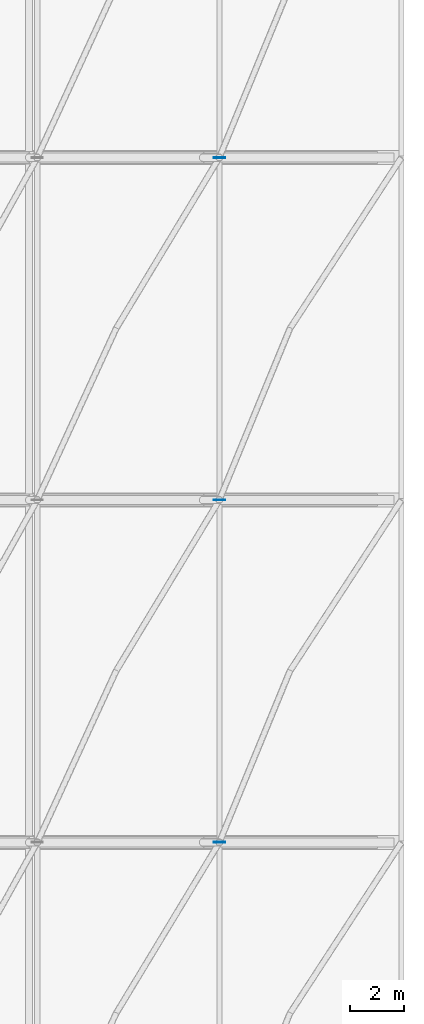
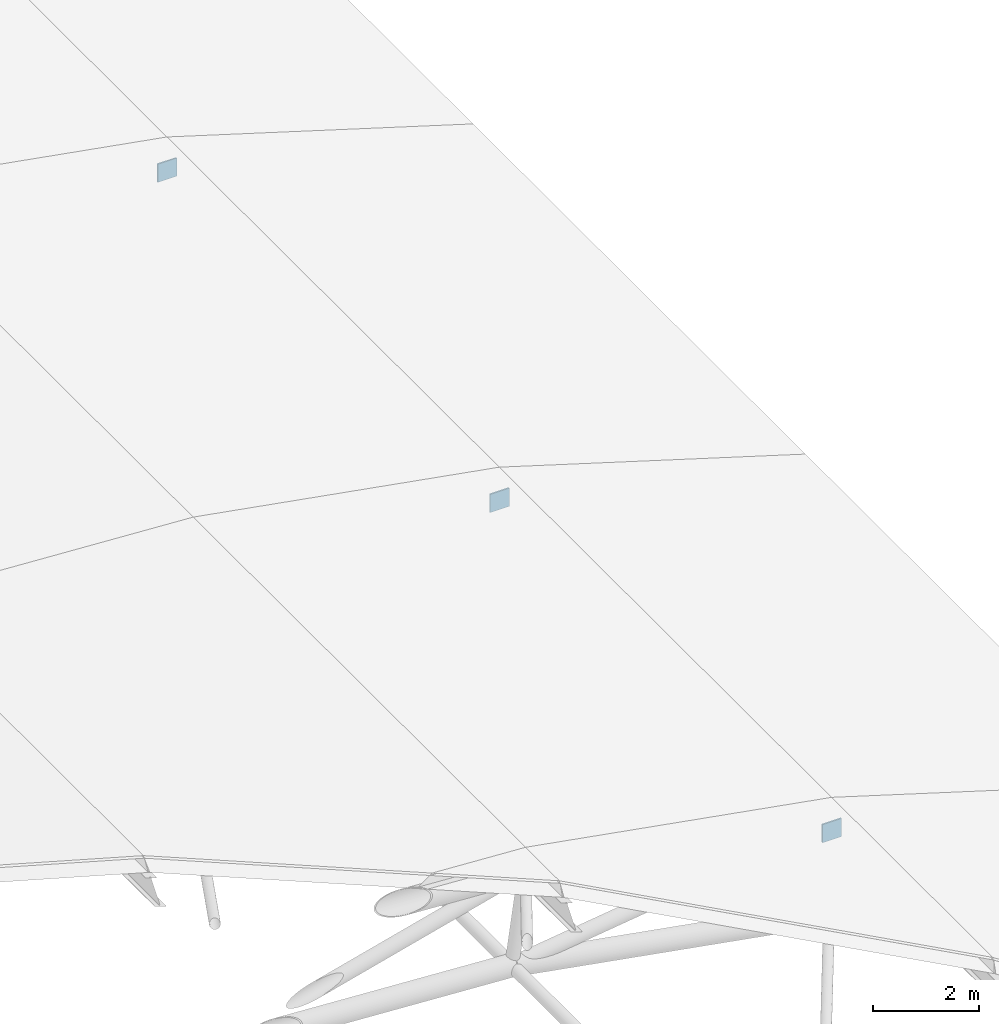
# One storey, part 16 of 18: 3 plates.
"""IFC4 building model written with IfcOpenShell, lengths in metres."""

import ifcopenshell
import ifcopenshell.guid

model = None  # the IFC model being written
_history = None  # IfcOwnerHistory: only IFC2X3 demands one
_inside = {}  # id of a spatial element -> (the spatial element, [elements in it])
_under = {}  # id of a project, library or spatial element -> (it, [spatial elements below it])
_declared = {}  # id of a project -> (the project, [libraries it declares])
_typed = {}  # id of a type object -> (the type object, [elements of that type])
_made_of = {}  # id of a material, layer set ... -> (it, [elements and type objects made of it])


def new_model(schema):
    """Start an empty IFC model of exactly this schema.

    Asked for "IFC4X3", IfcOpenShell would pick the latest addendum, in which some entities
    have other attributes; the version numbers below select the first issue.
    IFC2X3 requires an IfcOwnerHistory on every rooted entity: one is made here for all.
    """
    global model, _history
    if schema == "IFC4X3":
        model = ifcopenshell.file(schema_version=(4, 3, 0, 0))
    else:
        model = ifcopenshell.file(schema=schema)
    _inside.clear()
    _under.clear()
    _declared.clear()
    _typed.clear()
    _made_of.clear()
    _history = None
    if model.schema == "IFC2X3":
        org = make("IfcOrganization", Name="unknown")
        user = make(
            "IfcPersonAndOrganization",
            ThePerson=make("IfcPerson", FamilyName="unknown"),
            TheOrganization=org,
        )
        app = make(
            "IfcApplication",
            ApplicationDeveloper=org,
            Version="unknown",
            ApplicationFullName="unknown",
            ApplicationIdentifier="unknown",
        )
        _history = make(
            "IfcOwnerHistory",
            OwningUser=user,
            OwningApplication=app,
            ChangeAction="ADDED",
            CreationDate=0,
        )
    return model


def make(cls, **values):
    """One entity of the class cls with the attributes given. An attribute that is None is left unset."""
    return model.create_entity(
        cls, **{name: value for name, value in values.items() if value is not None}
    )


def rooted(cls, **values):
    """An entity with a GlobalId (a new one), such as an element, a storey or a relation."""
    return make(cls, GlobalId=ifcopenshell.guid.new(), OwnerHistory=_history, **values)


def si_unit(unit_type, name, prefix=None):
    """IfcSIUnit, for example si_unit("LENGTHUNIT", "METRE", prefix="MILLI")."""
    return make("IfcSIUnit", UnitType=unit_type, Prefix=prefix, Name=name)


def derived_unit(unit_type, elements):
    """IfcDerivedUnit: a product of units, each with its exponent."""
    return make(
        "IfcDerivedUnit",
        Elements=[
            make("IfcDerivedUnitElement", Unit=unit, Exponent=power)
            for unit, power in elements
        ],
        UnitType=unit_type,
    )


def assignment(units):
    """IfcUnitAssignment: the units of a project."""
    return None if units is None else make("IfcUnitAssignment", Units=units)


def point(xyz):
    """IfcCartesianPoint."""
    return None if xyz is None else make("IfcCartesianPoint", Coordinates=xyz)


def direction(xyz):
    """IfcDirection."""
    return None if xyz is None else make("IfcDirection", DirectionRatios=xyz)


def frame(location, z_axis=None, x_axis=None):
    """IfcAxis2Placement3D, a coordinate frame: its origin and axes. An axis left out is left unset."""
    return make(
        "IfcAxis2Placement3D",
        Location=point(location),
        Axis=direction(z_axis),
        RefDirection=direction(x_axis),
    )


def frame_2d(location, x_axis=None):
    """IfcAxis2Placement2D, a coordinate frame in the plane: its origin and x axis."""
    return make(
        "IfcAxis2Placement2D", Location=point(location), RefDirection=direction(x_axis)
    )


def origin():
    """The frame at (0, 0, 0) with its axes left unset."""
    return frame((0.0, 0.0, 0.0))


def origin_2d():
    """The frame at (0, 0) in the plane with its x axis left unset."""
    return frame_2d((0.0, 0.0))


def place(relative_to, where):
    """IfcLocalPlacement: puts the frame where relative to a parent placement (None: the world)."""
    return make(
        "IfcLocalPlacement", PlacementRelTo=relative_to, RelativePlacement=where
    )


def context(
    kind, dimensions, precision=None, world=None, true_north=None, identifier=None
):
    """IfcGeometricRepresentationContext, for example the 3D "Model" context."""
    return make(
        "IfcGeometricRepresentationContext",
        ContextIdentifier=identifier,
        ContextType=kind,
        CoordinateSpaceDimension=dimensions,
        Precision=precision,
        WorldCoordinateSystem=world,
        TrueNorth=true_north,
    )


def subcontext(parent, identifier, kind, view, scale=None):
    """IfcGeometricRepresentationSubContext, for example "Body" below "Model"."""
    return make(
        "IfcGeometricRepresentationSubContext",
        ContextIdentifier=identifier,
        ContextType=kind,
        ParentContext=parent,
        TargetScale=scale,
        TargetView=view,
    )


def project(units=None, contexts=None):
    """IfcProject with its units and contexts."""
    return rooted(
        "IfcProject",
        Name="project",
        RepresentationContexts=contexts,
        UnitsInContext=assignment(units),
    )


def spatial(cls, under=None, at=None, **own):
    """A site, building, storey or space (cls), placed at a placement, below another one or the project."""
    s = rooted(cls, ObjectPlacement=at, **own)
    if under is not None:
        _under.setdefault(under.id(), (under, []))[1].append(s)
    return s


def profile(cls, at=None, kind="AREA", **sizes):
    """A parametric profile (cls). Its sizes go by their IFC names, for example OverallWidth=200.0."""
    return make(cls, ProfileType=kind, Position=at, **sizes)


def rectangle(**sizes):
    """IfcRectangleProfileDef."""
    return profile("IfcRectangleProfileDef", **sizes)


def extrude(swept, where, along, depth):
    """IfcExtrudedAreaSolid: the profile swept, set in the frame where, extruded along a direction by depth."""
    return make(
        "IfcExtrudedAreaSolid",
        SweptArea=swept,
        Position=where,
        ExtrudedDirection=direction(along),
        Depth=depth,
    )


def shape(context_of_items, identifier, shape_type, items):
    """IfcShapeRepresentation: the items that make up one representation, for example the "Body"."""
    return make(
        "IfcShapeRepresentation",
        ContextOfItems=context_of_items,
        RepresentationIdentifier=identifier,
        RepresentationType=shape_type,
        Items=items,
    )


def material(Name=None, Category=None):
    """IfcMaterial."""
    return make("IfcMaterial", Name=Name, Category=Category)


def layer(
    of_material, thickness, ventilated=None, Name=None, Category=None, Priority=None
):
    """IfcMaterialLayer: one layer of a wall or slab, of a material (None: an air gap)."""
    return make(
        "IfcMaterialLayer",
        Material=of_material,
        LayerThickness=thickness,
        IsVentilated=ventilated,
        Name=Name,
        Category=Category,
        Priority=Priority,
    )


def layer_set(layers, Name=None):
    """IfcMaterialLayerSet."""
    return make("IfcMaterialLayerSet", MaterialLayers=layers, LayerSetName=Name)


def made_of(thing, what):
    """Note that an element or type object is made of a material, layer set ...; save() writes the relation."""
    if what is not None:
        _made_of.setdefault(what.id(), (what, []))[1].append(thing)
    return thing


def type_object(cls, material=None, **own):
    """A type object (cls), such as IfcWallType, which elements share."""
    return made_of(rooted(cls, **own), material)


def element(
    cls,
    number,
    at=None,
    inside=None,
    cuts=None,
    type_object=None,
    material=None,
    context=None,
    identifier="Body",
    shape_type=None,
    held_by="IfcProductDefinitionShape",
    body=None,
    shapes=None,
    **own,
):
    """One element of the class cls, such as IfcWall. Its Tag is "e" and its number.

    at: its placement. inside: the storey or other place that contains it. cuts: it is an
    opening in that element (IfcRelVoidsElement). A single representation is given by context,
    identifier, shape_type and body (its items); several are given by shapes. held_by: the class
    of the entity that holds the representations. save() writes the other relations.
    """
    e = rooted(cls, Tag="e%d" % number, ObjectPlacement=at, **own)
    if body is not None:
        shapes = [shape(context, identifier, shape_type, body)]
    if shapes is not None:
        e.Representation = make(held_by, Representations=shapes)
    if inside is not None:
        _inside.setdefault(inside.id(), (inside, []))[1].append(e)
    if cuts is not None:
        rooted(
            "IfcRelVoidsElement", RelatingBuildingElement=cuts, RelatedOpeningElement=e
        )
    if type_object is not None:
        _typed.setdefault(type_object.id(), (type_object, []))[1].append(e)
    return made_of(e, material)


def aggregate(whole, parts):
    """IfcRelAggregates: a whole, such as a stair, and the parts it consists of."""
    return rooted("IfcRelAggregates", RelatingObject=whole, RelatedObjects=parts)


def save(model, path):
    """Write the relations noted so far, then the file.

    IfcRelAggregates (storeys below a building ...), IfcRelContainedInSpatialStructure (elements
    in a storey), IfcRelDefinesByType, IfcRelAssociatesMaterial and IfcRelDeclares: one each for
    every whole, place, type object, material and project.
    """
    for whole, parts in _under.values():
        aggregate(whole, parts)
    for where, things in _inside.values():
        rooted(
            "IfcRelContainedInSpatialStructure",
            RelatedElements=things,
            RelatingStructure=where,
        )
    for kind, things in _typed.values():
        rooted("IfcRelDefinesByType", RelatedObjects=things, RelatingType=kind)
    for what, things in _made_of.values():
        rooted("IfcRelAssociatesMaterial", RelatedObjects=things, RelatingMaterial=what)
    for by, libraries in _declared.values():
        rooted("IfcRelDeclares", RelatingContext=by, RelatedDefinitions=libraries)
    model.write(path)


model = new_model("IFC4")

# Units and contexts
model_context = context("Model", 3, precision=1e-05, world=origin(), true_north=direction((0.0, 1.0)))
body_context = subcontext(model_context, "Body", "Model", "MODEL_VIEW")
ifc_project = project(units=[si_unit("LENGTHUNIT", "METRE"), si_unit("AREAUNIT", "SQUARE_METRE"), si_unit("VOLUMEUNIT", "CUBIC_METRE"), si_unit("PLANEANGLEUNIT", "RADIAN"), si_unit("MASSUNIT", "GRAM", prefix="KILO"), derived_unit("THERMALTRANSMITTANCEUNIT", [(si_unit("MASSUNIT", "GRAM", prefix="KILO"), 1), (si_unit("TIMEUNIT", "SECOND"), -3), (si_unit("THERMODYNAMICTEMPERATUREUNIT", "KELVIN"), -1)])], contexts=[model_context])

# Site, building, storey
site_placement = place(None, origin())
site = spatial("IfcSite", under=ifc_project, at=site_placement, CompositionType="ELEMENT")
building_placement = place(site_placement, origin())
building = spatial("IfcBuilding", under=site, at=building_placement, Name="Valcora Ridge Arena", CompositionType="ELEMENT")
storey_placement = place(building_placement, frame((0.0, 0.0, 39.800048828125)))
storey = spatial("IfcBuildingStorey", under=building, at=storey_placement, Name="RF", CompositionType="ELEMENT", Elevation=39.800048828125)

# Plates
ifc_material = material(Name="Steel ASTM A572 Grade 50", Category="steel")
ifc_layer = layer(ifc_material, 0.031982421875, Name="Steel ASTM A572 Grade 50")
ifc_layer_set = layer_set([ifc_layer], Name="Steel ASTM A572 Grade 50")
plate_type = type_object("IfcPlateType", Name="TY-PLATE-PL-NODE-32", PredefinedType="USERDEFINED", material=ifc_layer_set)
for number, where, z_axis, x_axis, name in (
    (1, (69.199951171875, 57.800048828125, -0.910888671875), (0.0, 0.0, 1.0), (1.0, 0.0, 0.0), "PL-NODE-32 SF-GP-0050"),
    (2, (69.199951171875, 70.39990234375, -0.910888671875), (0.0, 0.0, 1.0), (1.0, 0.0, 0.0), "PL-NODE-32 SF-GP-0064"),
    (3, (69.199951171875, 83.0, -0.910888671875), (0.0, 0.0, 1.0), (1.0, 0.0, 0.0), "PL-NODE-32 SF-GP-0078"),
):
    element("IfcPlate", number, at=place(storey_placement, frame(where, z_axis=z_axis, x_axis=x_axis)), inside=storey, type_object=plate_type, Name=name, ObjectType="GUSSET_PLATE", PredefinedType="USERDEFINED", context=body_context, shape_type="SweptSolid", body=[
        extrude(rectangle(XDim=0.419921875, YDim=0.031982421875, at=origin_2d()), origin(), (0.0, 0.0, 1.0), 0.419921875),
    ])

save(model, "model.ifc")
